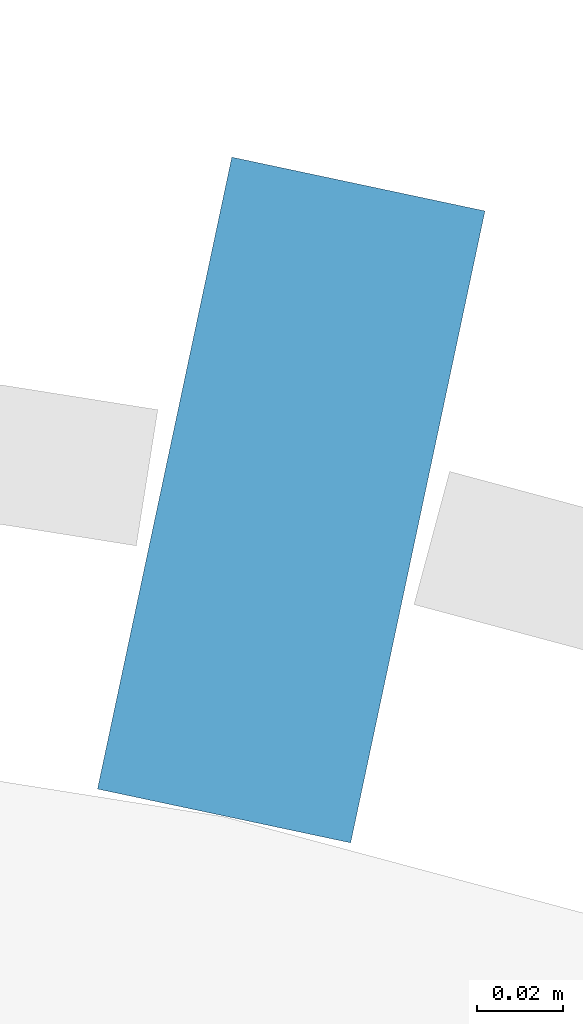
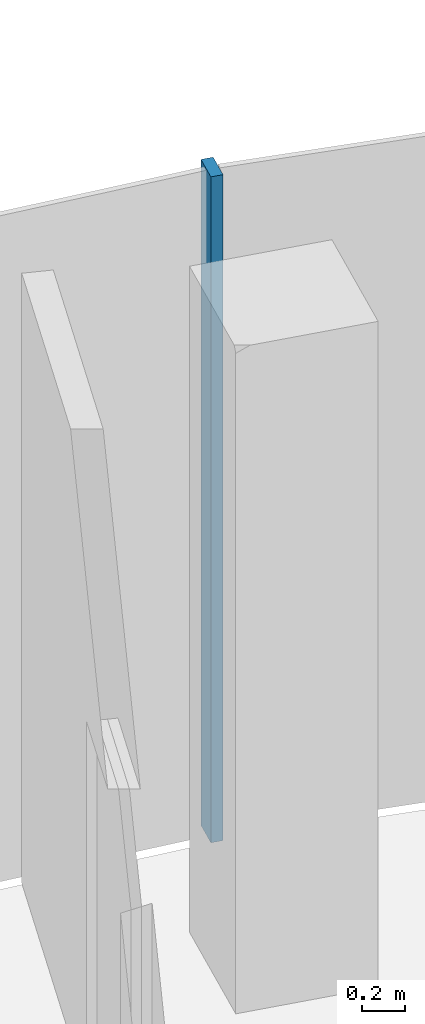
# One storey, part 7 of 18: 1 member, 1 element without a shape of its own.
"""IFC4 building model written with IfcOpenShell, lengths in metres."""

from ifc_helpers import new_model, si_unit, direction, frame, origin, origin_2d, place, context, subcontext, project, spatial, rectangle, extrude, material, layer, layer_set, material_profile, profile_set, type_object, element, aggregate, save


model = new_model("IFC4")

# Units and contexts
model_context = context("Model", 3, precision=1e-05, world=origin(), true_north=direction((0.0, 1.0)))
body_context = subcontext(model_context, "Body", "Model", "MODEL_VIEW")
ifc_project = project(units=[si_unit("LENGTHUNIT", "METRE"), si_unit("AREAUNIT", "SQUARE_METRE"), si_unit("VOLUMEUNIT", "CUBIC_METRE"), si_unit("PLANEANGLEUNIT", "RADIAN"), si_unit("MASSUNIT", "GRAM", prefix="KILO")], contexts=[model_context])

# Site, building, storey
site_placement = place(None, origin())
site = spatial("IfcSite", under=ifc_project, at=site_placement, CompositionType="ELEMENT")
building_placement = place(site_placement, origin())
building = spatial("IfcBuilding", under=site, at=building_placement, Name="Stone Belt Terrace Tower", CompositionType="ELEMENT")
storey_placement = place(building_placement, frame((0.0, 0.0, 288.39990234375)))
storey = spatial("IfcBuildingStorey", under=building, at=storey_placement, Name="L70", CompositionType="ELEMENT", Elevation=288.39990234375)

# Curtain wall, member
ifc_material = material(Name="Aluminium 6063-T6 anodised frame", Category="aluminium")
ifc_layer = layer(ifc_material, 0.14990234375)
ifc_layer_set = layer_set([ifc_layer], Name="CW-A unitised convex-face curtain wall")
curtain_wall_type = type_object("IfcCurtainWallType", Name="CW-A unitised convex-face curtain wall", PredefinedType="NOTDEFINED", material=ifc_layer_set)
curtain_wall_placement = place(storey_placement, origin())
curtain_wall = element("IfcCurtainWall", 1, at=curtain_wall_placement, inside=storey, type_object=curtain_wall_type, Name="CW-A convex face L70", PredefinedType="NOTDEFINED")
ifc_material_profile = material_profile(ifc_material, rectangle(XDim=0.14990234375, YDim=0.06005859375, at=origin_2d()), Name="Aluminium 6063-T6 60x150")
ifc_profile_set = profile_set([ifc_material_profile], Name="Aluminium 6063-T6 anodised frame")
member_type = type_object("IfcMemberType", Name="CW-A mullion 60 x 150", PredefinedType="MULLION", material=ifc_profile_set)
member_placement = place(storey_placement, frame((13.841796875, 65.120361328125, 0.0), z_axis=(0.0, 0.0, 1.0), x_axis=(-0.207911690818, -0.978147600734, 0.0)))
member = element("IfcMember", 2, at=member_placement, type_object=member_type, Name="CW-A mullion 6", PredefinedType="MULLION", context=body_context, shape_type="SweptSolid", body=[
    extrude(rectangle(XDim=0.14990234375, YDim=0.06005859375, at=origin_2d()), origin(), (0.0, 0.0, 1.0), 3.800048828125),
])
aggregate(curtain_wall, [member])

save(model, "model.ifc")
